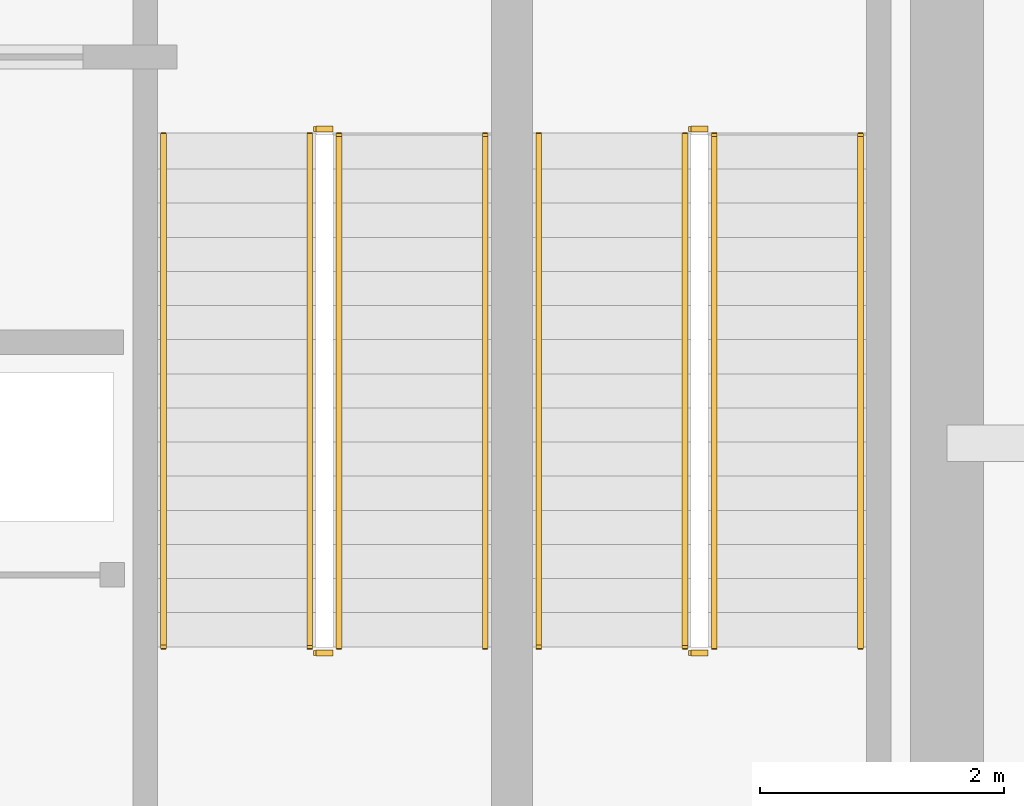
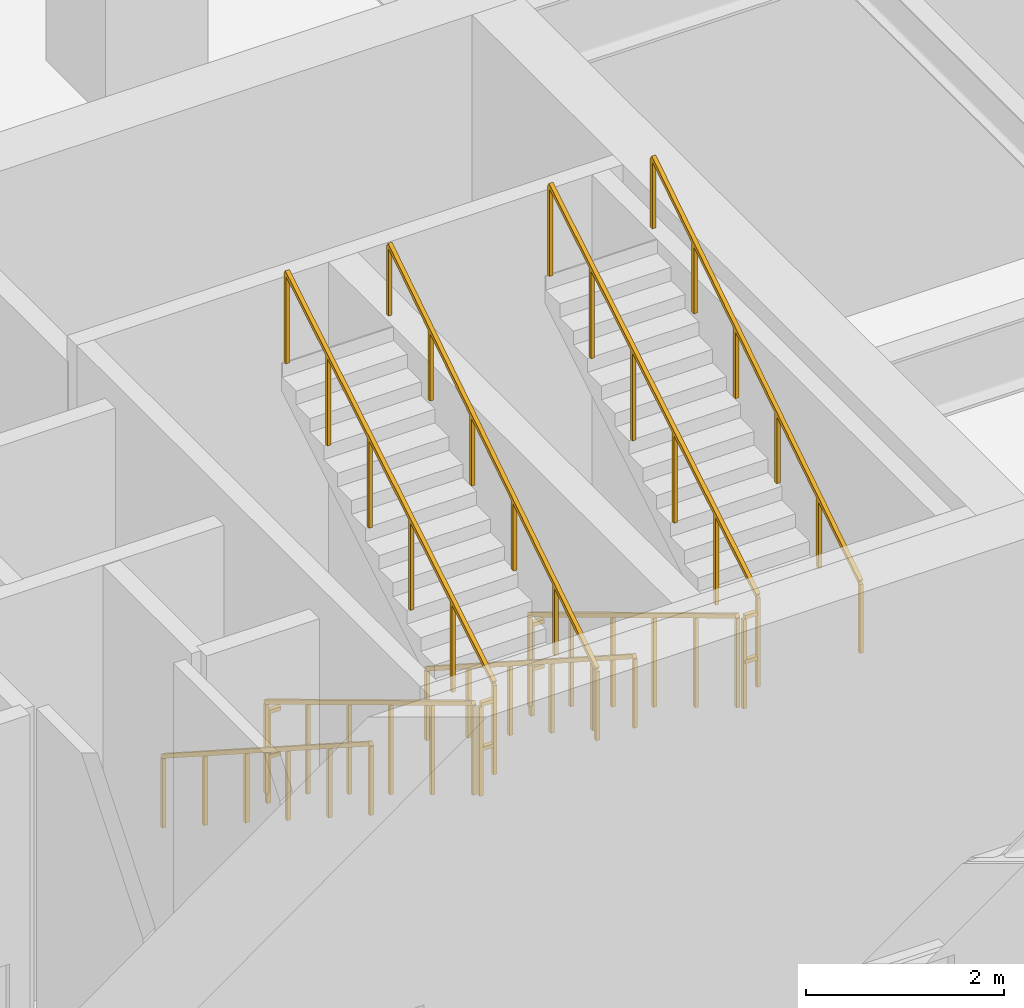
# One storey, part 17 of 20: 12 railings.
"""IFC4 building model written with IfcOpenShell, lengths in metres."""

from ifc_helpers import new_model, si_unit, derived_unit, direction, frame, origin, origin_2d, place, context, subcontext, project, spatial, rectangle, extrude, material, type_object, element, save


model = new_model("IFC4")

# Units and contexts
model_context = context("Model", 3, precision=1e-05, world=origin(), true_north=direction((0.0, 1.0)))
body_context = subcontext(model_context, "Body", "Model", "MODEL_VIEW")
ifc_project = project(units=[si_unit("LENGTHUNIT", "METRE"), si_unit("AREAUNIT", "SQUARE_METRE"), si_unit("VOLUMEUNIT", "CUBIC_METRE"), si_unit("PLANEANGLEUNIT", "RADIAN"), si_unit("MASSUNIT", "GRAM", prefix="KILO"), si_unit("THERMODYNAMICTEMPERATUREUNIT", "KELVIN"), si_unit("POWERUNIT", "WATT"), derived_unit("THERMALTRANSMITTANCEUNIT", [(si_unit("POWERUNIT", "WATT"), 1), (si_unit("AREAUNIT", "SQUARE_METRE"), -1), (si_unit("THERMODYNAMICTEMPERATUREUNIT", "KELVIN"), -1)])], contexts=[model_context])

# Site, building, storey
site_placement = place(None, origin())
site = spatial("IfcSite", under=ifc_project, at=site_placement, CompositionType="ELEMENT")
building_placement = place(site_placement, origin())
building = spatial("IfcBuilding", under=site, at=building_placement, Name="Zahravan Archway Hotel and Residences", CompositionType="ELEMENT")
storey_placement = place(building_placement, frame((0.0, 0.0, 16.199951171875)))
storey = spatial("IfcBuildingStorey", under=building, at=storey_placement, Name="L03", CompositionType="ELEMENT", Elevation=16.199951171875)

# Railings
ifc_material_1 = material(Name="Painted Tubular Steel", Category="steel")
railing_type_1 = type_object("IfcRailingType", Name="RL-STG-1150", PredefinedType="GUARDRAIL", material=ifc_material_1)
railing_1_placement = place(storey_placement, frame((44.570068359375, 9.72998046875, 0.168701171875)))
element("IfcRailing", 1, at=railing_1_placement, inside=storey, type_object=railing_type_1, Name="L03 ST-A2 stair guard 1", PredefinedType="GUARDRAIL", context=body_context, shape_type="SweptSolid", body=[
    extrude(rectangle(XDim=0.048095703125, YDim=0.048095703125, at=origin_2d()), frame((0.0, 0.0, 1.1259765625), z_axis=(0.0, -0.856476492594, 0.516186030065), x_axis=(1.0, 0.0, 0.0)), (0.0, 0.0, 1.0), 4.90380859375),
    extrude(rectangle(XDim=0.0419921875, YDim=0.0419921875, at=origin_2d()), origin(), (0.0, 0.0, 1.0), 1.101806640625),
    extrude(rectangle(XDim=0.0419921875, YDim=0.0419921875, at=origin_2d()), frame((0.0, -0.840087890625, 0.50634765625)), (0.0, 0.0, 1.0), 1.101806640625),
    extrude(rectangle(XDim=0.0419921875, YDim=0.0419921875, at=origin_2d()), frame((0.0, -1.679931640625, 1.012451171875)), (0.0, 0.0, 1.0), 1.101806640625),
    extrude(rectangle(XDim=0.0419921875, YDim=0.0419921875, at=origin_2d()), frame((0.0, -2.52001953125, 1.518798828125)), (0.0, 0.0, 1.0), 1.101806640625),
    extrude(rectangle(XDim=0.0419921875, YDim=0.0419921875, at=origin_2d()), frame((0.0, -3.35986328125, 2.02490234375)), (0.0, 0.0, 1.0), 1.101806640625),
    extrude(rectangle(XDim=0.0419921875, YDim=0.0419921875, at=origin_2d()), frame((0.0, -4.199951171875, 2.53125)), (0.0, 0.0, 1.0), 1.101806640625),
])
railing_2_placement = place(storey_placement, frame((44.6201171875, 5.47998046875, 2.699951171875)))
element("IfcRailing", 2, at=railing_2_placement, inside=storey, type_object=railing_type_1, Name="L03 ST-A2 stair guard 2", PredefinedType="GUARDRAIL", context=body_context, shape_type="SweptSolid", body=[
    extrude(rectangle(XDim=0.048095703125, YDim=0.048095703125, at=origin_2d()), frame((0.0, 0.0, 1.1259765625), z_axis=(1.0, 0.0, 0.0), x_axis=(0.0, 1.0, 0.0)), (0.0, 0.0, 1.0), 0.139892578125),
    extrude(rectangle(XDim=0.048095703125, YDim=0.048095703125, at=origin_2d()), frame((0.0, 0.0, 0.574951171875), z_axis=(1.0, 0.0, 0.0), x_axis=(0.0, 1.0, 0.0)), (0.0, 0.0, 1.0), 0.139892578125),
    extrude(rectangle(XDim=0.0419921875, YDim=0.0419921875, at=origin_2d()), origin(), (0.0, 0.0, 1.0), 1.101806640625),
])
railing_3_placement = place(storey_placement, frame((44.81005859375, 5.530029296875, 2.868896484375)))
element("IfcRailing", 3, at=railing_3_placement, inside=storey, type_object=railing_type_1, Name="L03 ST-A2 stair guard 3", PredefinedType="GUARDRAIL", context=body_context, shape_type="SweptSolid", body=[
    extrude(rectangle(XDim=0.048095703125, YDim=0.048095703125, at=origin_2d()), frame((0.0, 0.0, 1.1259765625), z_axis=(0.0, 0.856476492594, 0.516186030065), x_axis=(-1.0, 0.0, 0.0)), (0.0, 0.0, 1.0), 4.90380859375),
    extrude(rectangle(XDim=0.0419921875, YDim=0.0419921875, at=origin_2d()), origin(), (0.0, 0.0, 1.0), 1.101806640625),
    extrude(rectangle(XDim=0.0419921875, YDim=0.0419921875, at=origin_2d()), frame((0.0, 0.840087890625, 0.50634765625)), (0.0, 0.0, 1.0), 1.101806640625),
    extrude(rectangle(XDim=0.0419921875, YDim=0.0419921875, at=origin_2d()), frame((0.0, 1.679931640625, 1.012451171875)), (0.0, 0.0, 1.0), 1.101806640625),
    extrude(rectangle(XDim=0.0419921875, YDim=0.0419921875, at=origin_2d()), frame((0.0, 2.52001953125, 1.518798828125)), (0.0, 0.0, 1.0), 1.101806640625),
    extrude(rectangle(XDim=0.0419921875, YDim=0.0419921875, at=origin_2d()), frame((0.0, 3.35986328125, 2.02490234375)), (0.0, 0.0, 1.0), 1.101806640625),
    extrude(rectangle(XDim=0.0419921875, YDim=0.0419921875, at=origin_2d()), frame((0.0, 4.199951171875, 2.53125)), (0.0, 0.0, 1.0), 1.101806640625),
])
railing_4_placement = place(storey_placement, frame((44.6201171875, 9.780029296875, 0.0)))
element("IfcRailing", 4, at=railing_4_placement, inside=storey, type_object=railing_type_1, Name="L03 ST-A2 stair guard 4", PredefinedType="GUARDRAIL", context=body_context, shape_type="SweptSolid", body=[
    extrude(rectangle(XDim=0.048095703125, YDim=0.048095703125, at=origin_2d()), frame((0.0, 0.0, 1.1259765625), z_axis=(1.0, 0.0, 0.0), x_axis=(0.0, 1.0, 0.0)), (0.0, 0.0, 1.0), 0.139892578125),
    extrude(rectangle(XDim=0.048095703125, YDim=0.048095703125, at=origin_2d()), frame((0.0, 0.0, 0.574951171875), z_axis=(1.0, 0.0, 0.0), x_axis=(0.0, 1.0, 0.0)), (0.0, 0.0, 1.0), 0.139892578125),
    extrude(rectangle(XDim=0.0419921875, YDim=0.0419921875, at=origin_2d()), origin(), (0.0, 0.0, 1.0), 1.101806640625),
])
railing_5_placement = place(storey_placement, frame((47.64990234375, 9.72998046875, 0.168701171875)))
element("IfcRailing", 5, at=railing_5_placement, inside=storey, type_object=railing_type_1, Name="L03 ST-A3 stair guard 1", PredefinedType="GUARDRAIL", context=body_context, shape_type="SweptSolid", body=[
    extrude(rectangle(XDim=0.048095703125, YDim=0.048095703125, at=origin_2d()), frame((0.0, 0.0, 1.1259765625), z_axis=(0.0, -0.856476492594, 0.516186030065), x_axis=(1.0, 0.0, 0.0)), (0.0, 0.0, 1.0), 4.90380859375),
    extrude(rectangle(XDim=0.0419921875, YDim=0.0419921875, at=origin_2d()), origin(), (0.0, 0.0, 1.0), 1.101806640625),
    extrude(rectangle(XDim=0.0419921875, YDim=0.0419921875, at=origin_2d()), frame((0.0, -0.840087890625, 0.50634765625)), (0.0, 0.0, 1.0), 1.101806640625),
    extrude(rectangle(XDim=0.0419921875, YDim=0.0419921875, at=origin_2d()), frame((0.0, -1.679931640625, 1.012451171875)), (0.0, 0.0, 1.0), 1.101806640625),
    extrude(rectangle(XDim=0.0419921875, YDim=0.0419921875, at=origin_2d()), frame((0.0, -2.52001953125, 1.518798828125)), (0.0, 0.0, 1.0), 1.101806640625),
    extrude(rectangle(XDim=0.0419921875, YDim=0.0419921875, at=origin_2d()), frame((0.0, -3.35986328125, 2.02490234375)), (0.0, 0.0, 1.0), 1.101806640625),
    extrude(rectangle(XDim=0.0419921875, YDim=0.0419921875, at=origin_2d()), frame((0.0, -4.199951171875, 2.53125)), (0.0, 0.0, 1.0), 1.101806640625),
])
railing_6_placement = place(storey_placement, frame((47.699951171875, 5.47998046875, 2.699951171875)))
element("IfcRailing", 6, at=railing_6_placement, inside=storey, type_object=railing_type_1, Name="L03 ST-A3 stair guard 2", PredefinedType="GUARDRAIL", context=body_context, shape_type="SweptSolid", body=[
    extrude(rectangle(XDim=0.048095703125, YDim=0.048095703125, at=origin_2d()), frame((0.0, 0.0, 1.1259765625), z_axis=(1.0, 0.0, 0.0), x_axis=(0.0, 1.0, 0.0)), (0.0, 0.0, 1.0), 0.14013671875),
    extrude(rectangle(XDim=0.048095703125, YDim=0.048095703125, at=origin_2d()), frame((0.0, 0.0, 0.574951171875), z_axis=(1.0, 0.0, 0.0), x_axis=(0.0, 1.0, 0.0)), (0.0, 0.0, 1.0), 0.14013671875),
    extrude(rectangle(XDim=0.0419921875, YDim=0.0419921875, at=origin_2d()), origin(), (0.0, 0.0, 1.0), 1.101806640625),
])
railing_7_placement = place(storey_placement, frame((47.889892578125, 5.530029296875, 2.868896484375)))
element("IfcRailing", 7, at=railing_7_placement, inside=storey, type_object=railing_type_1, Name="L03 ST-A3 stair guard 3", PredefinedType="GUARDRAIL", context=body_context, shape_type="SweptSolid", body=[
    extrude(rectangle(XDim=0.048095703125, YDim=0.048095703125, at=origin_2d()), frame((0.0, 0.0, 1.1259765625), z_axis=(0.0, 0.856476492594, 0.516186030065), x_axis=(-1.0, 0.0, 0.0)), (0.0, 0.0, 1.0), 4.90380859375),
    extrude(rectangle(XDim=0.0419921875, YDim=0.0419921875, at=origin_2d()), origin(), (0.0, 0.0, 1.0), 1.101806640625),
    extrude(rectangle(XDim=0.0419921875, YDim=0.0419921875, at=origin_2d()), frame((0.0, 0.840087890625, 0.50634765625)), (0.0, 0.0, 1.0), 1.101806640625),
    extrude(rectangle(XDim=0.0419921875, YDim=0.0419921875, at=origin_2d()), frame((0.0, 1.679931640625, 1.012451171875)), (0.0, 0.0, 1.0), 1.101806640625),
    extrude(rectangle(XDim=0.0419921875, YDim=0.0419921875, at=origin_2d()), frame((0.0, 2.52001953125, 1.518798828125)), (0.0, 0.0, 1.0), 1.101806640625),
    extrude(rectangle(XDim=0.0419921875, YDim=0.0419921875, at=origin_2d()), frame((0.0, 3.35986328125, 2.02490234375)), (0.0, 0.0, 1.0), 1.101806640625),
    extrude(rectangle(XDim=0.0419921875, YDim=0.0419921875, at=origin_2d()), frame((0.0, 4.199951171875, 2.53125)), (0.0, 0.0, 1.0), 1.101806640625),
])
railing_8_placement = place(storey_placement, frame((47.699951171875, 9.780029296875, 0.0)))
element("IfcRailing", 8, at=railing_8_placement, inside=storey, type_object=railing_type_1, Name="L03 ST-A3 stair guard 4", PredefinedType="GUARDRAIL", context=body_context, shape_type="SweptSolid", body=[
    extrude(rectangle(XDim=0.048095703125, YDim=0.048095703125, at=origin_2d()), frame((0.0, 0.0, 1.1259765625), z_axis=(1.0, 0.0, 0.0), x_axis=(0.0, 1.0, 0.0)), (0.0, 0.0, 1.0), 0.14013671875),
    extrude(rectangle(XDim=0.048095703125, YDim=0.048095703125, at=origin_2d()), frame((0.0, 0.0, 0.574951171875), z_axis=(1.0, 0.0, 0.0), x_axis=(0.0, 1.0, 0.0)), (0.0, 0.0, 1.0), 0.14013671875),
    extrude(rectangle(XDim=0.0419921875, YDim=0.0419921875, at=origin_2d()), origin(), (0.0, 0.0, 1.0), 1.101806640625),
])
ifc_material_2 = material(Name="Brushed Stainless Steel", Category="steel")
railing_type_2 = type_object("IfcRailingType", Name="RL-STH-900", PredefinedType="HANDRAIL", material=ifc_material_2)
railing_9_placement = place(storey_placement, frame((43.3701171875, 9.72998046875, 0.168701171875)))
element("IfcRailing", 9, at=railing_9_placement, inside=storey, type_object=railing_type_2, Name="L03 ST-A2 stair handrail 1", PredefinedType="HANDRAIL", context=body_context, shape_type="SweptSolid", body=[
    extrude(rectangle(XDim=0.048095703125, YDim=0.048095703125, at=origin_2d()), frame((0.0, 0.0, 0.8759765625), z_axis=(0.0, -0.841157821942, 0.54078971753), x_axis=(1.0, 0.0, 0.0)), (0.0, 0.0, 1.0), 4.9931640625),
    extrude(rectangle(XDim=0.0419921875, YDim=0.0419921875, at=origin_2d()), origin(), (0.0, 0.0, 1.0), 0.851806640625),
    extrude(rectangle(XDim=0.0419921875, YDim=0.0419921875, at=origin_2d()), frame((0.0, -0.840087890625, 0.5400390625)), (0.0, 0.0, 1.0), 0.851806640625),
    extrude(rectangle(XDim=0.0419921875, YDim=0.0419921875, at=origin_2d()), frame((0.0, -1.679931640625, 1.080078125)), (0.0, 0.0, 1.0), 0.851806640625),
    extrude(rectangle(XDim=0.0419921875, YDim=0.0419921875, at=origin_2d()), frame((0.0, -2.52001953125, 1.6201171875)), (0.0, 0.0, 1.0), 0.851806640625),
    extrude(rectangle(XDim=0.0419921875, YDim=0.0419921875, at=origin_2d()), frame((0.0, -3.35986328125, 2.16015625)), (0.0, 0.0, 1.0), 0.851806640625),
    extrude(rectangle(XDim=0.0419921875, YDim=0.0419921875, at=origin_2d()), frame((0.0, -4.199951171875, 2.7001953125)), (0.0, 0.0, 1.0), 0.851806640625),
])
railing_10_placement = place(storey_placement, frame((46.010009765625, 5.530029296875, 2.868896484375)))
element("IfcRailing", 10, at=railing_10_placement, inside=storey, type_object=railing_type_2, Name="L03 ST-A2 stair handrail 2", PredefinedType="HANDRAIL", context=body_context, shape_type="SweptSolid", body=[
    extrude(rectangle(XDim=0.048095703125, YDim=0.048095703125, at=origin_2d()), frame((0.0, 0.0, 0.8759765625), z_axis=(0.0, 0.841180064094, 0.540755119968), x_axis=(-1.0, 0.0, 0.0)), (0.0, 0.0, 1.0), 4.992919921875),
    extrude(rectangle(XDim=0.0419921875, YDim=0.0419921875, at=origin_2d()), origin(), (0.0, 0.0, 1.0), 0.851806640625),
    extrude(rectangle(XDim=0.0419921875, YDim=0.0419921875, at=origin_2d()), frame((0.0, 0.840087890625, 0.5400390625)), (0.0, 0.0, 1.0), 0.851806640625),
    extrude(rectangle(XDim=0.0419921875, YDim=0.0419921875, at=origin_2d()), frame((0.0, 1.679931640625, 1.080078125)), (0.0, 0.0, 1.0), 0.851806640625),
    extrude(rectangle(XDim=0.0419921875, YDim=0.0419921875, at=origin_2d()), frame((0.0, 2.52001953125, 1.619873046875)), (0.0, 0.0, 1.0), 0.851806640625),
    extrude(rectangle(XDim=0.0419921875, YDim=0.0419921875, at=origin_2d()), frame((0.0, 3.35986328125, 2.159912109375)), (0.0, 0.0, 1.0), 0.851806640625),
    extrude(rectangle(XDim=0.0419921875, YDim=0.0419921875, at=origin_2d()), frame((0.0, 4.199951171875, 2.699951171875)), (0.0, 0.0, 1.0), 0.851806640625),
])
railing_11_placement = place(storey_placement, frame((46.449951171875, 9.72998046875, 0.168701171875)))
element("IfcRailing", 11, at=railing_11_placement, inside=storey, type_object=railing_type_2, Name="L03 ST-A3 stair handrail 1", PredefinedType="HANDRAIL", context=body_context, shape_type="SweptSolid", body=[
    extrude(rectangle(XDim=0.048095703125, YDim=0.048095703125, at=origin_2d()), frame((0.0, 0.0, 0.8759765625), z_axis=(0.0, -0.841157821942, 0.54078971753), x_axis=(1.0, 0.0, 0.0)), (0.0, 0.0, 1.0), 4.9931640625),
    extrude(rectangle(XDim=0.0419921875, YDim=0.0419921875, at=origin_2d()), origin(), (0.0, 0.0, 1.0), 0.851806640625),
    extrude(rectangle(XDim=0.0419921875, YDim=0.0419921875, at=origin_2d()), frame((0.0, -0.840087890625, 0.5400390625)), (0.0, 0.0, 1.0), 0.851806640625),
    extrude(rectangle(XDim=0.0419921875, YDim=0.0419921875, at=origin_2d()), frame((0.0, -1.679931640625, 1.080078125)), (0.0, 0.0, 1.0), 0.851806640625),
    extrude(rectangle(XDim=0.0419921875, YDim=0.0419921875, at=origin_2d()), frame((0.0, -2.52001953125, 1.6201171875)), (0.0, 0.0, 1.0), 0.851806640625),
    extrude(rectangle(XDim=0.0419921875, YDim=0.0419921875, at=origin_2d()), frame((0.0, -3.35986328125, 2.16015625)), (0.0, 0.0, 1.0), 0.851806640625),
    extrude(rectangle(XDim=0.0419921875, YDim=0.0419921875, at=origin_2d()), frame((0.0, -4.199951171875, 2.7001953125)), (0.0, 0.0, 1.0), 0.851806640625),
])
railing_12_placement = place(storey_placement, frame((49.090087890625, 5.530029296875, 2.868896484375)))
element("IfcRailing", 12, at=railing_12_placement, inside=storey, type_object=railing_type_2, Name="L03 ST-A3 stair handrail 2", PredefinedType="HANDRAIL", context=body_context, shape_type="SweptSolid", body=[
    extrude(rectangle(XDim=0.048095703125, YDim=0.048095703125, at=origin_2d()), frame((0.0, 0.0, 0.8759765625), z_axis=(0.0, 0.841180064094, 0.540755119968), x_axis=(-1.0, 0.0, 0.0)), (0.0, 0.0, 1.0), 4.992919921875),
    extrude(rectangle(XDim=0.0419921875, YDim=0.0419921875, at=origin_2d()), origin(), (0.0, 0.0, 1.0), 0.851806640625),
    extrude(rectangle(XDim=0.0419921875, YDim=0.0419921875, at=origin_2d()), frame((0.0, 0.840087890625, 0.5400390625)), (0.0, 0.0, 1.0), 0.851806640625),
    extrude(rectangle(XDim=0.0419921875, YDim=0.0419921875, at=origin_2d()), frame((0.0, 1.679931640625, 1.080078125)), (0.0, 0.0, 1.0), 0.851806640625),
    extrude(rectangle(XDim=0.0419921875, YDim=0.0419921875, at=origin_2d()), frame((0.0, 2.52001953125, 1.619873046875)), (0.0, 0.0, 1.0), 0.851806640625),
    extrude(rectangle(XDim=0.0419921875, YDim=0.0419921875, at=origin_2d()), frame((0.0, 3.35986328125, 2.159912109375)), (0.0, 0.0, 1.0), 0.851806640625),
    extrude(rectangle(XDim=0.0419921875, YDim=0.0419921875, at=origin_2d()), frame((0.0, 4.199951171875, 2.699951171875)), (0.0, 0.0, 1.0), 0.851806640625),
])

save(model, "model.ifc")
